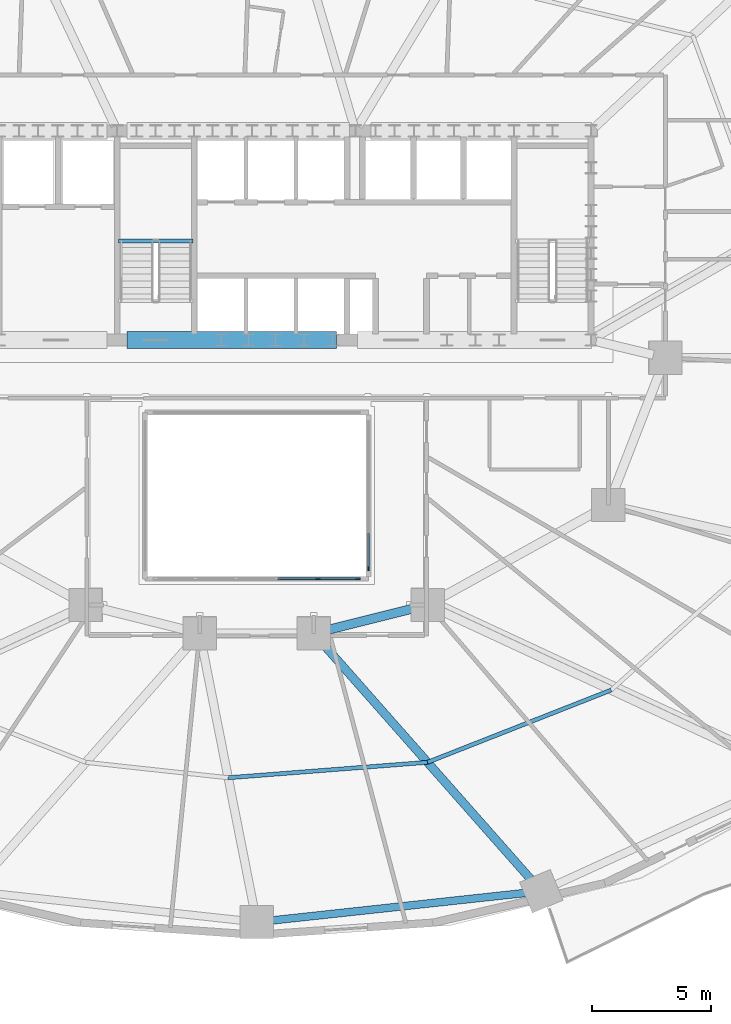
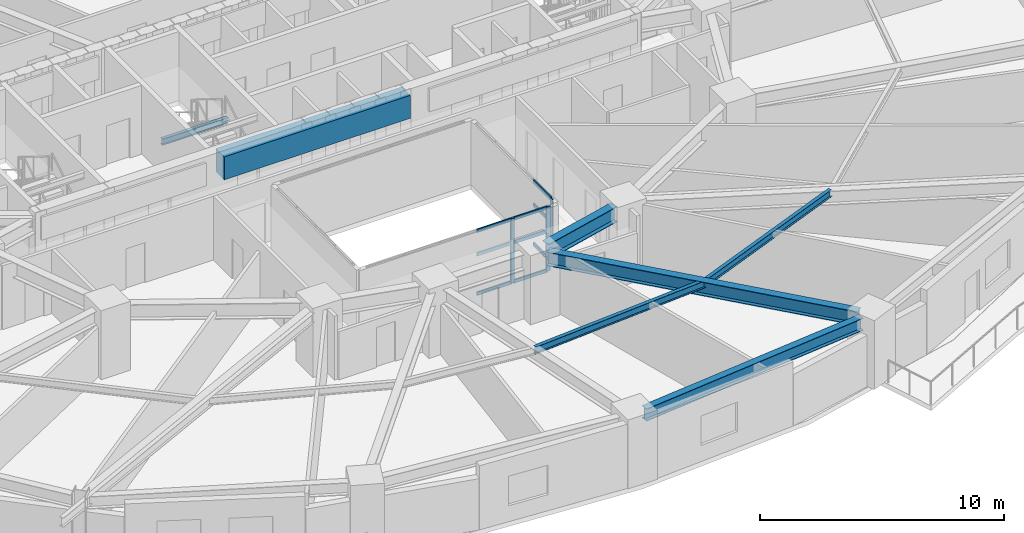
# One storey, part 5 of 17: 12 members, 7 beams, 2 elements without a shape of their own.
"""IFC4 building model written with IfcOpenShell, lengths in metres."""

from ifc_helpers import new_model, si_unit, direction, frame, origin, origin_2d, place, context, subcontext, project, spatial, rectangle, i_section, extrude, material, material_profile, profile_set, type_object, element, aggregate, save


model = new_model("IFC4")

# Units and contexts
model_context = context("Model", 3, precision=1e-05, world=origin(), true_north=direction((0.0, 1.0)))
body_context = subcontext(model_context, "Body", "Model", "MODEL_VIEW")
ifc_project = project(units=[si_unit("LENGTHUNIT", "METRE"), si_unit("AREAUNIT", "SQUARE_METRE"), si_unit("VOLUMEUNIT", "CUBIC_METRE"), si_unit("PLANEANGLEUNIT", "RADIAN"), si_unit("MASSUNIT", "GRAM", prefix="KILO")], contexts=[model_context])

# Site, building, storey
site_placement = place(None, origin())
site = spatial("IfcSite", under=ifc_project, at=site_placement, CompositionType="ELEMENT")
building_placement = place(site_placement, origin())
building = spatial("IfcBuilding", under=site, at=building_placement, Name="Haldorwick Loom Tower", CompositionType="ELEMENT")
storey_placement = place(building_placement, frame((0.0, 0.0, 44.699951171875)))
storey = spatial("IfcBuildingStorey", under=building, at=storey_placement, Name="L11", CompositionType="ELEMENT", Elevation=44.699951171875)

# Curtain wall, members
ifc_material_1 = material(Name="Thermally Broken Anodized Aluminium Curtain Wall Framing", Category="aluminium")
curtain_wall_type = type_object("IfcCurtainWallType", Name="ARC-CW-03", PredefinedType="NOTDEFINED", material=ifc_material_1)
curtain_wall_1_placement = place(storey_placement, origin())
curtain_wall_1 = element("IfcCurtainWall", 1, at=curtain_wall_1_placement, inside=storey, type_object=curtain_wall_type, Name="L11 Atrium Glazed Screen S", PredefinedType="NOTDEFINED")
ifc_material_profile_1 = material_profile(ifc_material_1, rectangle(XDim=0.06591796875, YDim=0.18505859375, at=origin_2d()), Name="ALU_MUL_66X185", Category="aluminium")
ifc_profile_set_1 = profile_set([ifc_material_profile_1], Name="Thermally Broken Anodized Aluminium Curtain Wall Framing")
member_type_1 = type_object("IfcMemberType", Name="ARC-CWM-03", PredefinedType="MULLION", material=ifc_profile_set_1)
member_1_placement = place(storey_placement, frame((40.26708984375, 16.699951171875, 0.0), z_axis=(0.0, 0.0, 1.0), x_axis=(0.0, -1.0, 0.0)))
member_1 = element("IfcMember", 2, at=member_1_placement, type_object=member_type_1, Name="CW-03 mullion 1", PredefinedType="MULLION", context=body_context, shape_type="SweptSolid", body=[
    extrude(rectangle(XDim=0.06591796875, YDim=0.18505859375, at=origin_2d()), origin(), (0.0, 0.0, 1.0), 3.2099609375),
])
member_2_placement = place(storey_placement, frame((38.580078125, 16.699951171875, 0.0), z_axis=(0.0, 0.0, 1.0), x_axis=(0.0, -1.0, 0.0)))
member_2 = element("IfcMember", 3, at=member_2_placement, type_object=member_type_1, Name="CW-03 mullion 2", PredefinedType="MULLION", context=body_context, shape_type="SweptSolid", body=[
    extrude(rectangle(XDim=0.06591796875, YDim=0.18505859375, at=origin_2d()), origin(), (0.0, 0.0, 1.0), 3.2099609375),
])

# Curtain wall, member
curtain_wall_2_placement = place(storey_placement, origin())
curtain_wall_2 = element("IfcCurtainWall", 4, at=curtain_wall_2_placement, inside=storey, type_object=curtain_wall_type, Name="L11 Atrium Glazed Screen E", PredefinedType="NOTDEFINED")
member_3_placement = place(storey_placement, frame((40.699951171875, 17.133056640625, 0.0), z_axis=(0.0, 0.0, 1.0), x_axis=(1.0, 0.0, 0.0)))
member_3 = element("IfcMember", 5, at=member_3_placement, type_object=member_type_1, Name="CW-03 mullion 5", PredefinedType="MULLION", context=body_context, shape_type="SweptSolid", body=[
    extrude(rectangle(XDim=0.06591796875, YDim=0.18505859375, at=origin_2d()), origin(), (0.0, 0.0, 1.0), 3.2099609375),
])

# Member
ifc_material_profile_2 = material_profile(ifc_material_1, rectangle(XDim=0.06591796875, YDim=0.1650390625, at=origin_2d()), Name="ALU_TRN_66X165", Category="aluminium")
ifc_profile_set_2 = profile_set([ifc_material_profile_2], Name="Thermally Broken Anodized Aluminium Curtain Wall Framing")
member_type_2 = type_object("IfcMemberType", Name="ARC-CWT-03", PredefinedType="USERDEFINED", material=ifc_profile_set_2)
member_4_placement = place(storey_placement, frame((40.23388671875, 16.699951171875, 0.032958984375), z_axis=(-1.0, 0.0, 0.0), x_axis=(0.0, -1.0, 0.0)))
member_4 = element("IfcMember", 6, at=member_4_placement, type_object=member_type_2, Name="CW-03 transom 1.1", ObjectType="TRANSOM", PredefinedType="USERDEFINED", context=body_context, shape_type="SweptSolid", body=[
    extrude(rectangle(XDim=0.06591796875, YDim=0.1650390625, at=origin_2d()), origin(), (0.0, 0.0, 1.0), 1.620849609375),
])

member_5_placement = place(storey_placement, frame((40.23388671875, 16.699951171875, 2.0), z_axis=(-1.0, 0.0, 0.0), x_axis=(0.0, -1.0, 0.0)))
member_5 = element("IfcMember", 7, at=member_5_placement, type_object=member_type_2, Name="CW-03 transom 1.2", ObjectType="TRANSOM", PredefinedType="USERDEFINED", context=body_context, shape_type="SweptSolid", body=[
    extrude(rectangle(XDim=0.06591796875, YDim=0.1650390625, at=origin_2d()), origin(), (0.0, 0.0, 1.0), 1.620849609375),
])

member_6_placement = place(storey_placement, frame((40.23388671875, 16.699951171875, 3.177001953125), z_axis=(-1.0, 0.0, 0.0), x_axis=(0.0, -1.0, 0.0)))
member_6 = element("IfcMember", 8, at=member_6_placement, type_object=member_type_2, Name="CW-03 transom 1.3", ObjectType="TRANSOM", PredefinedType="USERDEFINED", context=body_context, shape_type="SweptSolid", body=[
    extrude(rectangle(XDim=0.06591796875, YDim=0.1650390625, at=origin_2d()), origin(), (0.0, 0.0, 1.0), 1.620849609375),
])

member_7_placement = place(storey_placement, frame((38.547119140625, 16.699951171875, 0.032958984375), z_axis=(-1.0, 0.0, 0.0), x_axis=(0.0, -1.0, 0.0)))
member_7 = element("IfcMember", 9, at=member_7_placement, type_object=member_type_2, Name="CW-03 transom 2.1", ObjectType="TRANSOM", PredefinedType="USERDEFINED", context=body_context, shape_type="SweptSolid", body=[
    extrude(rectangle(XDim=0.06591796875, YDim=0.1650390625, at=origin_2d()), origin(), (0.0, 0.0, 1.0), 1.654052734375),
])

member_8_placement = place(storey_placement, frame((38.547119140625, 16.699951171875, 2.0), z_axis=(-1.0, 0.0, 0.0), x_axis=(0.0, -1.0, 0.0)))
member_8 = element("IfcMember", 10, at=member_8_placement, type_object=member_type_2, Name="CW-03 transom 2.2", ObjectType="TRANSOM", PredefinedType="USERDEFINED", context=body_context, shape_type="SweptSolid", body=[
    extrude(rectangle(XDim=0.06591796875, YDim=0.1650390625, at=origin_2d()), origin(), (0.0, 0.0, 1.0), 1.654052734375),
])

member_9_placement = place(storey_placement, frame((38.547119140625, 16.699951171875, 3.177001953125), z_axis=(-1.0, 0.0, 0.0), x_axis=(0.0, -1.0, 0.0)))
member_9 = element("IfcMember", 11, at=member_9_placement, type_object=member_type_2, Name="CW-03 transom 2.3", ObjectType="TRANSOM", PredefinedType="USERDEFINED", context=body_context, shape_type="SweptSolid", body=[
    extrude(rectangle(XDim=0.06591796875, YDim=0.1650390625, at=origin_2d()), origin(), (0.0, 0.0, 1.0), 1.654052734375),
])

aggregate(curtain_wall_1, [member_1, member_2, member_4, member_5, member_6, member_7, member_8, member_9])

member_10_placement = place(storey_placement, frame((40.699951171875, 18.616943359375, 0.032958984375), z_axis=(0.0, -1.0, 0.0), x_axis=(1.0, 0.0, 0.0)))
member_10 = element("IfcMember", 12, at=member_10_placement, type_object=member_type_2, Name="CW-03 transom 4.1", ObjectType="TRANSOM", PredefinedType="USERDEFINED", context=body_context, shape_type="SweptSolid", body=[
    extrude(rectangle(XDim=0.06591796875, YDim=0.1650390625, at=origin_2d()), origin(), (0.0, 0.0, 1.0), 1.450927734375),
])

member_11_placement = place(storey_placement, frame((40.699951171875, 18.616943359375, 2.0), z_axis=(0.0, -1.0, 0.0), x_axis=(1.0, 0.0, 0.0)))
member_11 = element("IfcMember", 13, at=member_11_placement, type_object=member_type_2, Name="CW-03 transom 4.2", ObjectType="TRANSOM", PredefinedType="USERDEFINED", context=body_context, shape_type="SweptSolid", body=[
    extrude(rectangle(XDim=0.06591796875, YDim=0.1650390625, at=origin_2d()), origin(), (0.0, 0.0, 1.0), 1.450927734375),
])

member_12_placement = place(storey_placement, frame((40.699951171875, 18.616943359375, 3.177001953125), z_axis=(0.0, -1.0, 0.0), x_axis=(1.0, 0.0, 0.0)))
member_12 = element("IfcMember", 14, at=member_12_placement, type_object=member_type_2, Name="CW-03 transom 4.3", ObjectType="TRANSOM", PredefinedType="USERDEFINED", context=body_context, shape_type="SweptSolid", body=[
    extrude(rectangle(XDim=0.06591796875, YDim=0.1650390625, at=origin_2d()), origin(), (0.0, 0.0, 1.0), 1.450927734375),
])

aggregate(curtain_wall_2, [member_3, member_10, member_11, member_12])

# Beams
ifc_material_2 = material(Name="Concrete C60 (60 MPa)", Category="concrete")
ifc_material_profile_3 = material_profile(ifc_material_2, rectangle(XDim=0.699951171875, YDim=1.14990234375, at=origin_2d()), Name="RC700X1150", Category="concrete")
ifc_profile_set_3 = profile_set([ifc_material_profile_3], Name="Concrete C60 (60 MPa)")
beam_type_1 = type_object("IfcBeamType", Name="STR-BM-CB1150", PredefinedType="LINTEL", material=ifc_profile_set_3)
beam_1_placement = place(storey_placement, frame((30.550048828125, 26.75, 2.635009765625), z_axis=(1.0, 0.0, 0.0), x_axis=(0.0, 1.0, 0.0)))
element("IfcBeam", 15, at=beam_1_placement, inside=storey, type_object=beam_type_1, Name="L11 Core Coupling Beam CB-S2", PredefinedType="LINTEL", context=body_context, shape_type="SweptSolid", body=[
    extrude(rectangle(XDim=0.699951171875, YDim=1.14990234375, at=origin_2d()), origin(), (0.0, 0.0, 1.0), 8.800048828125),
])
ifc_material_3 = material(Name="Steel CSA G40.21 350W", Category="steel")
ifc_material_profile_4 = material_profile(ifc_material_3, i_section(OverallWidth=0.172119140625, OverallDepth=0.35791015625, WebThickness=0.0078125, FlangeThickness=0.01318359375, at=origin_2d()), Name="W360X57", Category="steel")
ifc_profile_set_4 = profile_set([ifc_material_profile_4], Name="Steel CSA G40.21 350W")
beam_type_2 = type_object("IfcBeamType", Name="STR-BM-J360", PredefinedType="JOIST", material=ifc_profile_set_4)
beam_2_placement = place(storey_placement, frame((34.800048828125, 8.324951171875, 3.031005859375), z_axis=(0.99701252039, 0.077240107368, 0.0), x_axis=(-0.077240107368, 0.99701252039, 0.0)))
element("IfcBeam", 16, at=beam_2_placement, inside=storey, type_object=beam_type_2, Name="L11 Mid-Bay Secondary Joist 13", PredefinedType="JOIST", context=body_context, shape_type="SweptSolid", body=[
    extrude(i_section(OverallWidth=0.172119140625, OverallDepth=0.35791015625, WebThickness=0.0078125, FlangeThickness=0.01318359375, at=origin_2d()), origin(), (0.0, 0.0, 1.0), 8.4140625),
])
beam_3_placement = place(storey_placement, frame((43.18896484375, 8.974853515625, 3.031005859375), z_axis=(0.930584838237, 0.366076301941, 0.0), x_axis=(-0.366076301941, 0.930584838237, 0.0)))
element("IfcBeam", 17, at=beam_3_placement, inside=storey, type_object=beam_type_2, Name="L11 Mid-Bay Secondary Joist 14", PredefinedType="JOIST", context=body_context, shape_type="SweptSolid", body=[
    extrude(i_section(OverallWidth=0.172119140625, OverallDepth=0.35791015625, WebThickness=0.0078125, FlangeThickness=0.01318359375, at=origin_2d()), origin(), (0.0, 0.0, 1.0), 8.302490234375),
])
ifc_material_profile_5 = material_profile(ifc_material_3, i_section(OverallWidth=0.324951171875, OverallDepth=0.615966796875, WebThickness=0.013916015625, FlangeThickness=0.021484375, at=origin_2d()), Name="W610X174", Category="steel")
ifc_profile_set_5 = profile_set([ifc_material_profile_5], Name="Steel CSA G40.21 350W")
beam_type_3 = type_object("IfcBeamType", Name="STR-BM-SP610", PredefinedType="SPANDREL", material=ifc_profile_set_5)
beam_4_placement = place(storey_placement, frame((36.51708984375, 2.30615234375, 2.902099609375), z_axis=(0.994164438636, 0.107875247167, 0.0), x_axis=(-0.107875247167, 0.994164438636, 0.0)))
element("IfcBeam", 18, at=beam_4_placement, inside=storey, type_object=beam_type_3, Name="L11 Perimeter Spandrel 13", PredefinedType="SPANDREL", context=body_context, shape_type="SweptSolid", body=[
    extrude(i_section(OverallWidth=0.324951171875, OverallDepth=0.615966796875, WebThickness=0.013916015625, FlangeThickness=0.021484375, at=origin_2d()), origin(), (0.0, 0.0, 1.0), 11.008056640625),
])
ifc_material_profile_6 = material_profile(ifc_material_3, i_section(OverallWidth=0.166015625, OverallDepth=0.31298828125, WebThickness=0.006591796875, FlangeThickness=0.01123046875, at=origin_2d()), Name="W310X45", Category="steel")
ifc_profile_set_6 = profile_set([ifc_material_profile_6], Name="Steel CSA G40.21 350W")
beam_type_4 = type_object("IfcBeamType", Name="STR-BM-STRM", PredefinedType="BEAM", material=ifc_profile_set_6)
beam_5_placement = place(storey_placement, frame((30.18994140625, 30.919921875, 1.36865234375), z_axis=(1.0, 0.0, 0.0), x_axis=(0.0, 1.0, 0.0)))
element("IfcBeam", 19, at=beam_5_placement, inside=storey, type_object=beam_type_4, Name="L11 Stair ST-03 Half-Landing Trimmer 1", PredefinedType="BEAM", context=body_context, shape_type="SweptSolid", body=[
    extrude(i_section(OverallWidth=0.166015625, OverallDepth=0.31298828125, WebThickness=0.006591796875, FlangeThickness=0.01123046875, at=origin_2d()), origin(), (0.0, 0.0, 1.0), 3.1201171875),
])
ifc_material_profile_7 = material_profile(ifc_material_3, i_section(OverallWidth=0.35498046875, OverallDepth=0.695068359375, WebThickness=0.015380859375, FlangeThickness=0.02490234375, at=origin_2d()), Name="W690X217", Category="steel")
ifc_profile_set_7 = profile_set([ifc_material_profile_7], Name="Steel CSA G40.21 350W")
beam_type_5 = type_object("IfcBeamType", Name="STR-BM-W690", PredefinedType="BEAM", material=ifc_profile_set_7)
beam_6_placement = place(storey_placement, frame((38.744140625, 14.01025390625, 2.862548828125), z_axis=(0.661774304332, -0.749703121326, 0.0), x_axis=(0.749703121326, 0.661774304332, 0.0)))
element("IfcBeam", 20, at=beam_6_placement, inside=storey, type_object=beam_type_5, Name="L11 Radial Floor Girder 14", PredefinedType="BEAM", context=body_context, shape_type="SweptSolid", body=[
    extrude(i_section(OverallWidth=0.35498046875, OverallDepth=0.695068359375, WebThickness=0.015380859375, FlangeThickness=0.02490234375, at=origin_2d()), origin(), (0.0, 0.0, 1.0), 13.43310546875),
])
ifc_material_profile_8 = material_profile(ifc_material_3, i_section(OverallWidth=0.381103515625, OverallDepth=0.77294921875, WebThickness=0.0166015625, FlangeThickness=0.027587890625, at=origin_2d()), Name="W760X257", Category="steel")
ifc_profile_set_8 = profile_set([ifc_material_profile_8], Name="Steel CSA G40.21 350W")
beam_type_6 = type_object("IfcBeamType", Name="STR-BM-W760", PredefinedType="BEAM", material=ifc_profile_set_8)
beam_7_placement = place(storey_placement, frame((42.695556640625, 15.473876953125, 2.823486328125), z_axis=(-0.970142500145, -0.242535625036, 0.0), x_axis=(0.242535625036, -0.970142500145, 0.0)))
element("IfcBeam", 21, at=beam_7_placement, inside=storey, type_object=beam_type_6, Name="L11 Inner Ring Girder 4", PredefinedType="BEAM", context=body_context, shape_type="SweptSolid", body=[
    extrude(i_section(OverallWidth=0.381103515625, OverallDepth=0.77294921875, WebThickness=0.0166015625, FlangeThickness=0.027587890625, at=origin_2d()), origin(), (0.0, 0.0, 1.0), 3.90771484375),
])

save(model, "model.ifc")
